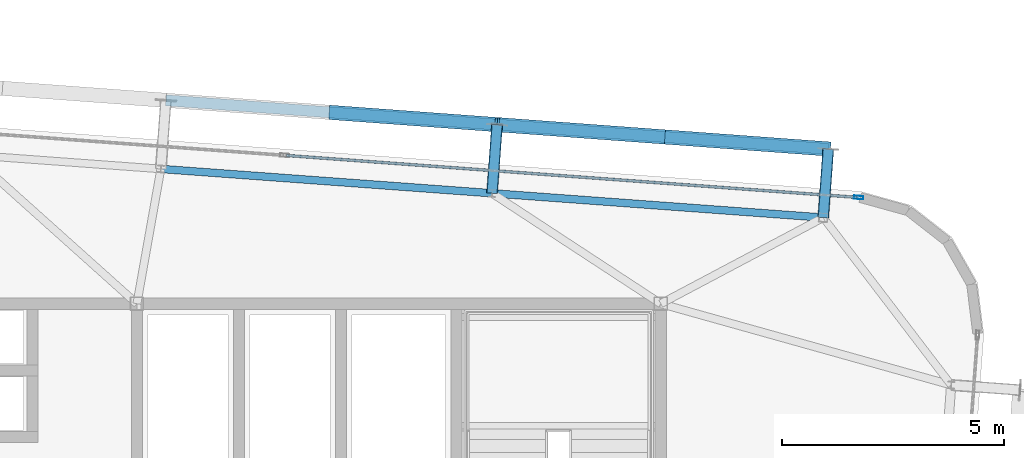
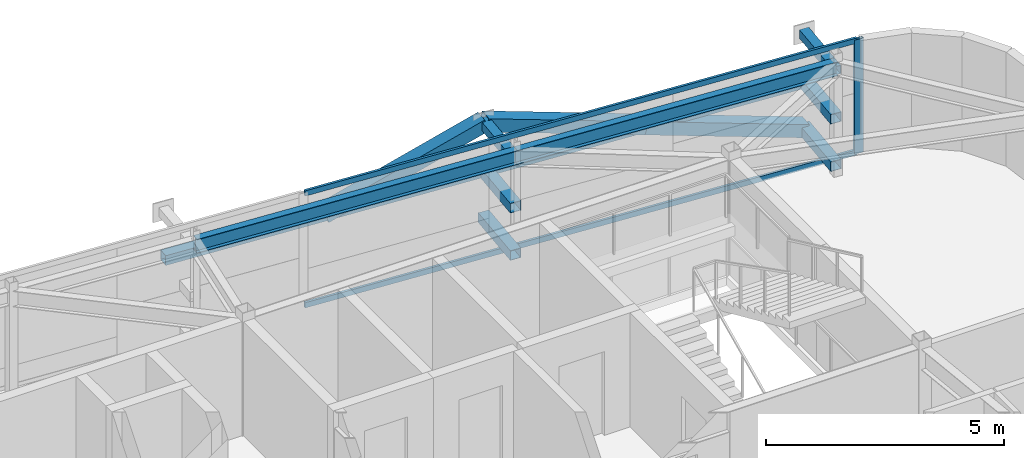
# One storey, part 22 of 34: 14 members, 2 beams, 1 element without a shape of its own.
"""IFC4 building model written with IfcOpenShell, lengths in metres."""

from ifc_helpers import new_model, si_unit, direction, frame, origin, origin_2d, place, context, subcontext, project, spatial, hollow_rectangle, i_section, extrude, source, transform, mapped, material, layer, layer_set, material_profile, profile_set, type_object, element, aggregate, save


model = new_model("IFC4")

# Units and contexts
model_context = context("Model", 3, precision=1e-05, world=origin(), true_north=direction((0.0, 1.0)))
body_context = subcontext(model_context, "Body", "Model", "MODEL_VIEW")
ifc_project = project(units=[si_unit("LENGTHUNIT", "METRE"), si_unit("AREAUNIT", "SQUARE_METRE"), si_unit("VOLUMEUNIT", "CUBIC_METRE"), si_unit("PLANEANGLEUNIT", "RADIAN"), si_unit("MASSUNIT", "GRAM", prefix="KILO")], contexts=[model_context])

# Site, building, storey
site_placement = place(None, origin())
site = spatial("IfcSite", under=ifc_project, at=site_placement, CompositionType="ELEMENT")
building_placement = place(site_placement, origin())
building = spatial("IfcBuilding", under=site, at=building_placement, Name="Taldren Reach Tower", CompositionType="ELEMENT")
storey_placement = place(building_placement, frame((0.0, 0.0, 239.75)))
storey = spatial("IfcBuildingStorey", under=building, at=storey_placement, Name="L73", CompositionType="ELEMENT", Elevation=239.75)

# Members
ifc_material_1 = material(Name="Steel Gr 350 (C350L0)", Category="steel")
ifc_material_profile_1 = material_profile(ifc_material_1, hollow_rectangle(XDim=0.25, YDim=0.25, WallThickness=0.010009765625, at=origin_2d()), Name="250x250x10.0SHS")
ifc_profile_set_1 = profile_set([ifc_material_profile_1], Name="Steel Gr 350 (C350L0)")
member_type_1 = type_object("IfcMemberType", Name="MB-POST250", PredefinedType="POST", material=ifc_profile_set_1)
shared_shape_1 = source(origin(), body_context, "Body", "SweptSolid", [
    extrude(hollow_rectangle(XDim=0.25, YDim=0.25, WallThickness=0.010009765625, at=origin_2d()), origin(), (0.0, 0.0, 1.0), 1.550048828125),
])
for number, where, z_axis, x_axis, name in (
    (1, (47.199462890625, 34.487548828125, 0.219970703125), (0.07323929162, 0.997314396849, 0.0), (-0.997314396849, 0.07323929162, 0.0), "Exoskeleton base diaphragm tie strut B5-N5 L73"),
    (2, (54.659423828125, 33.939697265625, 0.219970703125), (0.07323929162, 0.997314396849, 0.0), (-0.997314396849, 0.07323929162, 0.0), "Exoskeleton base diaphragm tie strut B5-N6 L73"),
    (3, (47.199462890625, 34.487548828125, 1.43505859375), (0.07323929162, 0.997314396849, 0.0), (-0.997314396849, 0.07323929162, 0.0), "Exoskeleton mid-tier diaphragm tie B5-N5 L73"),
    (4, (54.659423828125, 33.939697265625, 1.43505859375), (0.07323929162, 0.997314396849, 0.0), (-0.997314396849, 0.07323929162, 0.0), "Exoskeleton mid-tier diaphragm tie B5-N6 L73"),
):
    element("IfcMember", number, at=place(storey_placement, frame(where, z_axis=z_axis, x_axis=x_axis)), inside=storey, type_object=member_type_1, Name=name, PredefinedType="POST", context=body_context, shape_type="MappedRepresentation", body=[
        mapped(shared_shape_1, transform((0.0, 0.0, 0.0), scale=1.0)),
    ])
ifc_material_2 = material(Name="Steel Gr 450 (C450L0)", Category="steel")
ifc_material_profile_2 = material_profile(ifc_material_2, hollow_rectangle(XDim=0.219970703125, YDim=0.219970703125, WallThickness=0.00830078125, at=origin_2d()), Name="220x220x8.2SHS")
ifc_profile_set_2 = profile_set([ifc_material_profile_2], Name="Steel Gr 450 (C450L0)")
member_type_2 = type_object("IfcMemberType", Name="MB-TIE219", PredefinedType="STRUT", material=ifc_profile_set_2)
shared_shape_2 = source(origin(), body_context, "Body", "SweptSolid", [
    extrude(hollow_rectangle(XDim=0.219970703125, YDim=0.219970703125, WallThickness=0.00830078125, at=origin_2d()), origin(), (0.0, 0.0, 1.0), 1.550048828125),
])
for number, where, z_axis, x_axis, name in (
    (5, (47.199462890625, 34.487548828125, 2.64990234375), (0.07323929162, 0.997314396849, 0.0), (-0.997314396849, 0.07323929162, 0.0), "Exoskeleton diaphragm tie strut B5-N5 L73"),
    (6, (54.659423828125, 33.939697265625, 2.64990234375), (0.07323929162, 0.997314396849, 0.0), (-0.997314396849, 0.07323929162, 0.0), "Exoskeleton diaphragm tie strut B5-N6 L73"),
):
    element("IfcMember", number, at=place(storey_placement, frame(where, z_axis=z_axis, x_axis=x_axis)), inside=storey, type_object=member_type_2, Name=name, PredefinedType="STRUT", context=body_context, shape_type="MappedRepresentation", body=[
        mapped(shared_shape_2, transform((0.0, 0.0, 0.0), scale=1.0)),
    ])

# Beams
ifc_material_3 = material(Name="Steel Gr 350 (350PLUS)", Category="steel")
ifc_material_profile_3 = material_profile(ifc_material_3, i_section(OverallWidth=0.172119140625, OverallDepth=0.35888671875, WebThickness=0.008056640625, FlangeThickness=0.012939453125, at=origin_2d()), Name="360UB56.7")
ifc_profile_set_3 = profile_set([ifc_material_profile_3], Name="Steel Gr 350 (350PLUS)")
beam_type = type_object("IfcBeamType", Name="SP-UB360", PredefinedType="SPANDREL", material=ifc_profile_set_3)
shared_shape_3 = source(origin(), body_context, "Body", "SweptSolid", [
    extrude(i_section(OverallWidth=0.172119140625, OverallDepth=0.35888671875, WebThickness=0.008056640625, FlangeThickness=0.012939453125, at=origin_2d()), origin(), (0.0, 0.0, 1.0), 7.47998046875),
])
for number, where, z_axis, x_axis, name in (
    (7, (54.659423828125, 33.939697265625, 2.75048828125), (-0.997314220642, 0.07324169103, 0.0), (-0.07324169103, -0.997314220642, 0.0), "Perimeter spandrel B5 N6-N5 L73"),
    (8, (47.199462890625, 34.487548828125, 2.75048828125), (-0.997314220642, 0.07324169103, 0.0), (-0.07324169103, -0.997314220642, 0.0), "Perimeter spandrel B5 N5-N4 L73"),
):
    element("IfcBeam", number, at=place(storey_placement, frame(where, z_axis=z_axis, x_axis=x_axis)), inside=storey, type_object=beam_type, Name=name, PredefinedType="SPANDREL", context=body_context, shape_type="MappedRepresentation", body=[
        mapped(shared_shape_3, transform((0.0, 0.0, 0.0), scale=1.0)),
    ])

# Members
ifc_material_profile_4 = material_profile(ifc_material_2, hollow_rectangle(XDim=0.324951171875, YDim=0.324951171875, WallThickness=0.0126953125, at=origin_2d()), Name="325x325x12.7SHS")
ifc_profile_set_4 = profile_set([ifc_material_profile_4], Name="Steel Gr 450 (C450L0)")
member_type_3 = type_object("IfcMemberType", Name="MB-BR324", PredefinedType="BRACE", material=ifc_profile_set_4)
shared_shape_4 = source(origin(), body_context, "Body", "SweptSolid", [
    extrude(hollow_rectangle(XDim=0.324951171875, YDim=0.324951171875, WallThickness=0.0126953125, at=origin_2d()), origin(), (0.0, 0.0, 1.0), 3.932373046875),
])
for number, where, z_axis, x_axis, name in (
    (9, (43.5830078125, 36.307373046875, 1.43505859375), (0.948529326954, -0.06965898055, 0.308933232813), (0.07324169103, 0.997314220642, 0.0), "Exoskeleton Diagrid Brace B5-N4 L73"),
    (10, (54.77294921875, 35.485595703125, 0.219970703125), (-0.948511132845, 0.069657644394, 0.308989390507), (-0.07324169103, -0.997314220642, 0.0), "Exoskeleton Diagrid Brace B5-N5 L73"),
    (11, (51.04296875, 35.759521484375, 1.43505859375), (-0.948529326954, 0.06965898055, 0.308933232813), (-0.07324169103, -0.997314220642, 0.0), "Exoskeleton Diagrid Brace B5-N5 L73"),
):
    element("IfcMember", number, at=place(storey_placement, frame(where, z_axis=z_axis, x_axis=x_axis)), inside=storey, type_object=member_type_3, Name=name, PredefinedType="BRACE", context=body_context, shape_type="MappedRepresentation", body=[
        mapped(shared_shape_4, transform((0.0, 0.0, 0.0), scale=1.0)),
    ])
shared_shape_5 = source(origin(), body_context, "Body", "SweptSolid", [
    extrude(hollow_rectangle(XDim=0.25, YDim=0.25, WallThickness=0.010009765625, at=origin_2d()), origin(), (0.0, 0.0, 1.0), 7.47998046875),
])
for number, where, z_axis, x_axis, name in (
    (12, (39.85302734375, 36.581298828125, 1.43505859375), (0.997314220642, -0.07324169103, 0.0), (0.07324169103, 0.997314220642, 0.0), "Exoskeleton mid-height ring chord B5-N4 L73"),
    (13, (47.31298828125, 36.033447265625, 1.43505859375), (0.997314220642, -0.07324169103, 0.0), (0.07324169103, 0.997314220642, 0.0), "Exoskeleton mid-height ring chord B5-N5 L73"),
):
    element("IfcMember", number, at=place(storey_placement, frame(where, z_axis=z_axis, x_axis=x_axis)), inside=storey, type_object=member_type_1, Name=name, PredefinedType="POST", context=body_context, shape_type="MappedRepresentation", body=[
        mapped(shared_shape_5, transform((0.0, 0.0, 0.0), scale=1.0)),
    ])

# Curtain wall, members
ifc_material_4 = material(Name="Aluminium and Low-E Glass Unitised System", Category="aluminium")
ifc_layer = layer(ifc_material_4, 0.159912109375)
ifc_layer_set = layer_set([ifc_layer], Name="Aluminium and Low-E Glass Unitised System")
curtain_wall_type = type_object("IfcCurtainWallType", Name="CW-SYS-6", PredefinedType="NOTDEFINED", material=ifc_layer_set)
curtain_wall_placement = place(storey_placement, origin())
curtain_wall = element("IfcCurtainWall", 14, at=curtain_wall_placement, inside=storey, type_object=curtain_wall_type, Name="Unitised curtain wall CW-L73-N", PredefinedType="NOTDEFINED")
ifc_material_5 = material(Name="Anodised Aluminium 6063-T6", Category="aluminium")
ifc_material_profile_5 = material_profile(ifc_material_5, hollow_rectangle(XDim=0.06005859375, YDim=0.135009765625, WallThickness=0.00341796875, at=origin_2d()), Name="ALU-135x60x3.5RHS")
ifc_profile_set_5 = profile_set([ifc_material_profile_5], Name="Anodised Aluminium 6063-T6")
member_type_4 = type_object("IfcMemberType", Name="CW-TRN-150", PredefinedType="USERDEFINED", material=ifc_profile_set_5)
shared_shape_6 = source(origin(), body_context, "Body", "SweptSolid", [
    extrude(hollow_rectangle(XDim=0.06005859375, YDim=0.135009765625, WallThickness=0.00341796875, at=origin_2d()), origin(), (0.0, 0.0, 1.0), 12.887451171875),
])
member_1_placement = place(storey_placement, frame((55.419677734375, 34.395263671875, 0.030029296875), z_axis=(-0.997314487101, 0.07323806263, 0.0), x_axis=(-0.07323806263, -0.997314487101, 0.0)))
member_1 = element("IfcMember", 15, at=member_1_placement, type_object=member_type_4, Name="CW-6 transom 1.1", ObjectType="TRANSOM", PredefinedType="USERDEFINED", context=body_context, shape_type="MappedRepresentation", body=[
    mapped(shared_shape_6, transform((0.0, 0.0, 0.0), scale=1.0)),
])
member_2_placement = place(storey_placement, frame((55.419677734375, 34.395263671875, 2.89990234375), z_axis=(-0.997314487101, 0.07323806263, 0.0), x_axis=(-0.07323806263, -0.997314487101, 0.0)))
member_2 = element("IfcMember", 16, at=member_2_placement, type_object=member_type_4, Name="CW-6 transom 1.2", ObjectType="TRANSOM", PredefinedType="USERDEFINED", context=body_context, shape_type="MappedRepresentation", body=[
    mapped(shared_shape_6, transform((0.0, 0.0, 0.0), scale=1.0)),
])
ifc_material_profile_6 = material_profile(ifc_material_5, hollow_rectangle(XDim=0.074951171875, YDim=0.2099609375, WallThickness=0.00439453125, at=origin_2d()), Name="ALU-210x75x4.5RHS")
ifc_profile_set_6 = profile_set([ifc_material_profile_6], Name="Anodised Aluminium 6063-T6")
member_type_5 = type_object("IfcMemberType", Name="CW-MUL-200", PredefinedType="MULLION", material=ifc_profile_set_6)
shared_shape_7 = source(origin(), body_context, "Body", "SweptSolid", [
    extrude(hollow_rectangle(XDim=0.074951171875, YDim=0.2099609375, WallThickness=0.00439453125, at=origin_2d()), origin(), (0.0, 0.0, 1.0), 2.929931640625),
])
member_3_placement = place(storey_placement, frame((55.45703125, 34.392578125, 0.0), z_axis=(0.0, 0.0, 1.0), x_axis=(-0.073238213716, -0.997314476006, 0.0)))
member_3 = element("IfcMember", 17, at=member_3_placement, type_object=member_type_5, Name="CW-6 mullion 1", PredefinedType="MULLION", context=body_context, shape_type="MappedRepresentation", body=[
    mapped(shared_shape_7, transform((0.0, 0.0, 0.0), scale=1.0)),
])
aggregate(curtain_wall, [member_3, member_1, member_2])

save(model, "model.ifc")
